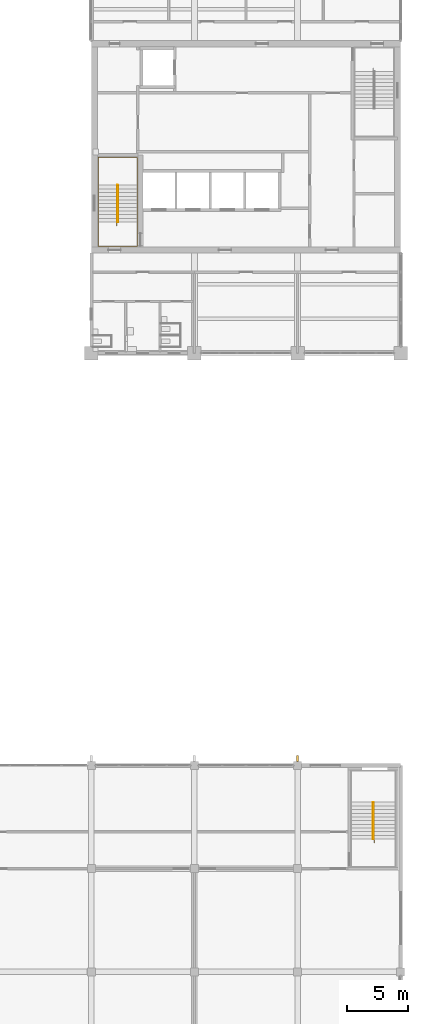
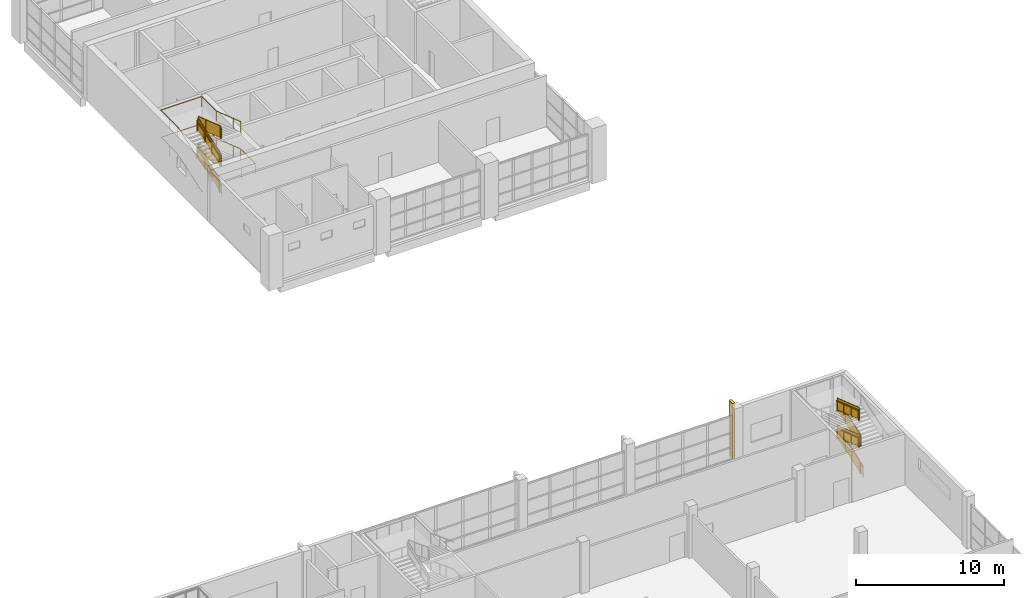
# One storey, part 59 of 64: 11 railings, 1 shading device.
"""IFC4 building model written with IfcOpenShell, lengths in metres."""

import ifcopenshell
import ifcopenshell.guid

model = None  # the IFC model being written
_history = None  # IfcOwnerHistory: only IFC2X3 demands one
_inside = {}  # id of a spatial element -> (the spatial element, [elements in it])
_under = {}  # id of a project, library or spatial element -> (it, [spatial elements below it])
_declared = {}  # id of a project -> (the project, [libraries it declares])
_typed = {}  # id of a type object -> (the type object, [elements of that type])
_made_of = {}  # id of a material, layer set ... -> (it, [elements and type objects made of it])


def new_model(schema):
    """Start an empty IFC model of exactly this schema.

    Asked for "IFC4X3", IfcOpenShell would pick the latest addendum, in which some entities
    have other attributes; the version numbers below select the first issue.
    IFC2X3 requires an IfcOwnerHistory on every rooted entity: one is made here for all.
    """
    global model, _history
    if schema == "IFC4X3":
        model = ifcopenshell.file(schema_version=(4, 3, 0, 0))
    else:
        model = ifcopenshell.file(schema=schema)
    _inside.clear()
    _under.clear()
    _declared.clear()
    _typed.clear()
    _made_of.clear()
    _history = None
    if model.schema == "IFC2X3":
        org = make("IfcOrganization", Name="unknown")
        user = make(
            "IfcPersonAndOrganization",
            ThePerson=make("IfcPerson", FamilyName="unknown"),
            TheOrganization=org,
        )
        app = make(
            "IfcApplication",
            ApplicationDeveloper=org,
            Version="unknown",
            ApplicationFullName="unknown",
            ApplicationIdentifier="unknown",
        )
        _history = make(
            "IfcOwnerHistory",
            OwningUser=user,
            OwningApplication=app,
            ChangeAction="ADDED",
            CreationDate=0,
        )
    return model


def make(cls, **values):
    """One entity of the class cls with the attributes given. An attribute that is None is left unset."""
    return model.create_entity(
        cls, **{name: value for name, value in values.items() if value is not None}
    )


def rooted(cls, **values):
    """An entity with a GlobalId (a new one), such as an element, a storey or a relation."""
    return make(cls, GlobalId=ifcopenshell.guid.new(), OwnerHistory=_history, **values)


def si_unit(unit_type, name, prefix=None):
    """IfcSIUnit, for example si_unit("LENGTHUNIT", "METRE", prefix="MILLI")."""
    return make("IfcSIUnit", UnitType=unit_type, Prefix=prefix, Name=name)


def assignment(units):
    """IfcUnitAssignment: the units of a project."""
    return None if units is None else make("IfcUnitAssignment", Units=units)


def point(xyz):
    """IfcCartesianPoint."""
    return None if xyz is None else make("IfcCartesianPoint", Coordinates=xyz)


def direction(xyz):
    """IfcDirection."""
    return None if xyz is None else make("IfcDirection", DirectionRatios=xyz)


def frame(location, z_axis=None, x_axis=None):
    """IfcAxis2Placement3D, a coordinate frame: its origin and axes. An axis left out is left unset."""
    return make(
        "IfcAxis2Placement3D",
        Location=point(location),
        Axis=direction(z_axis),
        RefDirection=direction(x_axis),
    )


def frame_2d(location, x_axis=None):
    """IfcAxis2Placement2D, a coordinate frame in the plane: its origin and x axis."""
    return make(
        "IfcAxis2Placement2D", Location=point(location), RefDirection=direction(x_axis)
    )


def origin():
    """The frame at (0, 0, 0) with its axes left unset."""
    return frame((0.0, 0.0, 0.0))


def origin_2d():
    """The frame at (0, 0) in the plane with its x axis left unset."""
    return frame_2d((0.0, 0.0))


def place(relative_to, where):
    """IfcLocalPlacement: puts the frame where relative to a parent placement (None: the world)."""
    return make(
        "IfcLocalPlacement", PlacementRelTo=relative_to, RelativePlacement=where
    )


def context(
    kind, dimensions, precision=None, world=None, true_north=None, identifier=None
):
    """IfcGeometricRepresentationContext, for example the 3D "Model" context."""
    return make(
        "IfcGeometricRepresentationContext",
        ContextIdentifier=identifier,
        ContextType=kind,
        CoordinateSpaceDimension=dimensions,
        Precision=precision,
        WorldCoordinateSystem=world,
        TrueNorth=true_north,
    )


def subcontext(parent, identifier, kind, view, scale=None):
    """IfcGeometricRepresentationSubContext, for example "Body" below "Model"."""
    return make(
        "IfcGeometricRepresentationSubContext",
        ContextIdentifier=identifier,
        ContextType=kind,
        ParentContext=parent,
        TargetScale=scale,
        TargetView=view,
    )


def project(units=None, contexts=None):
    """IfcProject with its units and contexts."""
    return rooted(
        "IfcProject",
        Name="project",
        RepresentationContexts=contexts,
        UnitsInContext=assignment(units),
    )


def spatial(cls, under=None, at=None, **own):
    """A site, building, storey or space (cls), placed at a placement, below another one or the project."""
    s = rooted(cls, ObjectPlacement=at, **own)
    if under is not None:
        _under.setdefault(under.id(), (under, []))[1].append(s)
    return s


def polyline(points):
    """IfcPolyline through the points."""
    return make("IfcPolyline", Points=[point(p) for p in points])


def profile(cls, at=None, kind="AREA", **sizes):
    """A parametric profile (cls). Its sizes go by their IFC names, for example OverallWidth=200.0."""
    return make(cls, ProfileType=kind, Position=at, **sizes)


def rectangle(**sizes):
    """IfcRectangleProfileDef."""
    return profile("IfcRectangleProfileDef", **sizes)


def circle(**sizes):
    """IfcCircleProfileDef."""
    return profile("IfcCircleProfileDef", **sizes)


def outline(outer, holes=None, kind="AREA"):
    """IfcArbitraryClosedProfileDef: a profile drawn as a closed curve; with holes, ...WithVoids."""
    if holes is None:
        return make("IfcArbitraryClosedProfileDef", ProfileType=kind, OuterCurve=outer)
    return make(
        "IfcArbitraryProfileDefWithVoids",
        ProfileType=kind,
        OuterCurve=outer,
        InnerCurves=holes,
    )


def extrude(swept, where, along, depth):
    """IfcExtrudedAreaSolid: the profile swept, set in the frame where, extruded along a direction by depth."""
    return make(
        "IfcExtrudedAreaSolid",
        SweptArea=swept,
        Position=where,
        ExtrudedDirection=direction(along),
        Depth=depth,
    )


def shape(context_of_items, identifier, shape_type, items):
    """IfcShapeRepresentation: the items that make up one representation, for example the "Body"."""
    return make(
        "IfcShapeRepresentation",
        ContextOfItems=context_of_items,
        RepresentationIdentifier=identifier,
        RepresentationType=shape_type,
        Items=items,
    )


def material(Name=None, Category=None):
    """IfcMaterial."""
    return make("IfcMaterial", Name=Name, Category=Category)


def material_profile(
    of_material, cross_section, Name=None, Category=None, Priority=None
):
    """IfcMaterialProfile: a cross section and its material."""
    return make(
        "IfcMaterialProfile",
        Name=Name,
        Material=of_material,
        Profile=cross_section,
        Priority=Priority,
        Category=Category,
    )


def profile_set(profiles, Name=None, composite=None):
    """IfcMaterialProfileSet."""
    return make(
        "IfcMaterialProfileSet",
        Name=Name,
        MaterialProfiles=profiles,
        CompositeProfile=composite,
    )


def made_of(thing, what):
    """Note that an element or type object is made of a material, layer set ...; save() writes the relation."""
    if what is not None:
        _made_of.setdefault(what.id(), (what, []))[1].append(thing)
    return thing


def type_object(cls, material=None, **own):
    """A type object (cls), such as IfcWallType, which elements share."""
    return made_of(rooted(cls, **own), material)


def element(
    cls,
    number,
    at=None,
    inside=None,
    cuts=None,
    type_object=None,
    material=None,
    context=None,
    identifier="Body",
    shape_type=None,
    held_by="IfcProductDefinitionShape",
    body=None,
    shapes=None,
    **own,
):
    """One element of the class cls, such as IfcWall. Its Tag is "e" and its number.

    at: its placement. inside: the storey or other place that contains it. cuts: it is an
    opening in that element (IfcRelVoidsElement). A single representation is given by context,
    identifier, shape_type and body (its items); several are given by shapes. held_by: the class
    of the entity that holds the representations. save() writes the other relations.
    """
    e = rooted(cls, Tag="e%d" % number, ObjectPlacement=at, **own)
    if body is not None:
        shapes = [shape(context, identifier, shape_type, body)]
    if shapes is not None:
        e.Representation = make(held_by, Representations=shapes)
    if inside is not None:
        _inside.setdefault(inside.id(), (inside, []))[1].append(e)
    if cuts is not None:
        rooted(
            "IfcRelVoidsElement", RelatingBuildingElement=cuts, RelatedOpeningElement=e
        )
    if type_object is not None:
        _typed.setdefault(type_object.id(), (type_object, []))[1].append(e)
    return made_of(e, material)


def aggregate(whole, parts):
    """IfcRelAggregates: a whole, such as a stair, and the parts it consists of."""
    return rooted("IfcRelAggregates", RelatingObject=whole, RelatedObjects=parts)


def save(model, path):
    """Write the relations noted so far, then the file.

    IfcRelAggregates (storeys below a building ...), IfcRelContainedInSpatialStructure (elements
    in a storey), IfcRelDefinesByType, IfcRelAssociatesMaterial and IfcRelDeclares: one each for
    every whole, place, type object, material and project.
    """
    for whole, parts in _under.values():
        aggregate(whole, parts)
    for where, things in _inside.values():
        rooted(
            "IfcRelContainedInSpatialStructure",
            RelatedElements=things,
            RelatingStructure=where,
        )
    for kind, things in _typed.values():
        rooted("IfcRelDefinesByType", RelatedObjects=things, RelatingType=kind)
    for what, things in _made_of.values():
        rooted("IfcRelAssociatesMaterial", RelatedObjects=things, RelatingMaterial=what)
    for by, libraries in _declared.values():
        rooted("IfcRelDeclares", RelatingContext=by, RelatedDefinitions=libraries)
    model.write(path)


model = new_model("IFC4")

# Units and contexts
model_context = context("Model", 3, precision=1e-05, world=origin(), true_north=direction((0.0, 1.0)))
body_context = subcontext(model_context, "Body", "Model", "MODEL_VIEW")
ifc_project = project(units=[si_unit("LENGTHUNIT", "METRE"), si_unit("AREAUNIT", "SQUARE_METRE"), si_unit("VOLUMEUNIT", "CUBIC_METRE"), si_unit("PLANEANGLEUNIT", "RADIAN"), si_unit("MASSUNIT", "GRAM", prefix="KILO")], contexts=[model_context])

# Site, building, storey
site_placement = place(None, origin())
site = spatial("IfcSite", under=ifc_project, at=site_placement, CompositionType="ELEMENT")
building_placement = place(site_placement, origin())
building = spatial("IfcBuilding", under=site, at=building_placement, Name="Rulbaag Community and Learning Centre", CompositionType="ELEMENT")
storey_placement = place(building_placement, frame((0.0, 0.0, 5.39990234375)))
storey = spatial("IfcBuildingStorey", under=building, at=storey_placement, Name="L01", CompositionType="ELEMENT", Elevation=5.39990234375)

# Shading device
ifc_material_1 = material(Name="Concrete M40", Category="concrete")
ifc_material_profile = material_profile(ifc_material_1, rectangle(XDim=0.199951171875, YDim=0.5, at=origin_2d()), Name="PC 200x500")
ifc_profile_set = profile_set([ifc_material_profile], Name="Concrete M40")
shading_device_type = type_object("IfcShadingDeviceType", Name="FIN-D", PredefinedType="JALOUSIE", material=ifc_profile_set)
shading_device_placement = place(storey_placement, frame((159.60009765625, 50.97509765625, -0.2998046875), z_axis=(0.0, 0.0, 1.0), x_axis=(1.0, 0.0, 0.0)))
element("IfcShadingDevice", 1, at=shading_device_placement, inside=storey, type_object=shading_device_type, Name="Precast fin", PredefinedType="JALOUSIE", context=body_context, shape_type="SweptSolid", body=[
    extrude(rectangle(XDim=0.199951171875, YDim=0.5, at=origin_2d()), origin(), (0.0, 0.0, 1.0), 4.5498046875),
])

# Railings
ifc_material_2 = material(Name="Galvanised mild steel", Category="steel")
railing_type_1 = type_object("IfcRailingType", Name="GR-1100 GUARD 1100", PredefinedType="GUARDRAIL", material=ifc_material_2)
railing_1_placement = place(storey_placement, frame((165.782470703125, 44.41259765625, 0.102294921875)))
element("IfcRailing", 2, at=railing_1_placement, inside=storey, type_object=railing_type_1, Name="Guard SH4 L01 G", PredefinedType="GUARDRAIL", context=body_context, shape_type="SweptSolid", body=[
    extrude(circle(Radius=0.02490234375, at=origin_2d()), frame((0.0, 0.0, 1.0751953125), z_axis=(0.0, 0.946512326817, 0.322667654381), x_axis=(-1.0, 0.0, 0.0)), (0.0, 0.0, 1.0), 3.16943359375),
    extrude(circle(Radius=0.02001953125, at=origin_2d()), origin(), (0.0, 0.0, 1.0), 1.050048828125),
    extrude(circle(Radius=0.02001953125, at=origin_2d()), frame((0.0, 1.0, 0.3408203125)), (0.0, 0.0, 1.0), 1.050048828125),
    extrude(circle(Radius=0.02001953125, at=origin_2d()), frame((0.0, 2.0, 0.681884765625)), (0.0, 0.0, 1.0), 1.050048828125),
    extrude(circle(Radius=0.02001953125, at=origin_2d()), frame((0.0, 3.0, 1.022705078125)), (0.0, 0.0, 1.0), 1.050048828125),
    extrude(outline(polyline([(0.0, 0.0), (3.0, 1.022705078125), (3.0, 1.97265625), (0.0, 0.949951171875), (0.0, 0.0)])), frame((-0.0048828125, 0.0, 0.10009765625), z_axis=(1.0, 0.0, 0.0), x_axis=(0.0, 1.0, 0.0)), (0.0, 0.0, 1.0), 0.010009765625),
])
railing_2_placement = place(storey_placement, frame((165.742431640625, 47.41259765625, 1.227294921875)))
element("IfcRailing", 3, at=railing_2_placement, inside=storey, type_object=railing_type_1, Name="Guard SH4 L01 G2", PredefinedType="GUARDRAIL", context=body_context, shape_type="SweptSolid", body=[
    extrude(circle(Radius=0.02490234375, at=origin_2d()), frame((0.0, 0.0, 1.0751953125), z_axis=(0.0, -0.946512326817, 0.322667654381), x_axis=(1.0, 0.0, 0.0)), (0.0, 0.0, 1.0), 3.16943359375),
    extrude(circle(Radius=0.02001953125, at=origin_2d()), origin(), (0.0, 0.0, 1.0), 1.050048828125),
    extrude(circle(Radius=0.02001953125, at=origin_2d()), frame((0.0, -1.0, 0.3408203125)), (0.0, 0.0, 1.0), 1.050048828125),
    extrude(circle(Radius=0.02001953125, at=origin_2d()), frame((0.0, -2.0, 0.681884765625)), (0.0, 0.0, 1.0), 1.050048828125),
    extrude(circle(Radius=0.02001953125, at=origin_2d()), frame((0.0, -3.0, 1.022705078125)), (0.0, 0.0, 1.0), 1.050048828125),
    extrude(outline(polyline([(0.0, 0.0), (3.0, 1.022705078125), (3.0, 1.97265625), (0.0, 0.949951171875), (0.0, 0.0)])), frame((0.0048828125, 0.0, 0.10009765625), z_axis=(-1.0, 0.0, 0.0), x_axis=(0.0, -1.0, 0.0)), (0.0, 0.0, 1.0), 0.010009765625),
])
railing_3_placement = place(storey_placement, frame((165.782470703125, 44.41259765625, 2.352294921875)))
element("IfcRailing", 4, at=railing_3_placement, inside=storey, type_object=railing_type_1, Name="Guard SH4 L01 G3", PredefinedType="GUARDRAIL", context=body_context, shape_type="SweptSolid", body=[
    extrude(circle(Radius=0.02490234375, at=origin_2d()), frame((0.0, 0.0, 1.0751953125), z_axis=(0.0, 0.946512326817, 0.322667654381), x_axis=(-1.0, 0.0, 0.0)), (0.0, 0.0, 1.0), 3.16943359375),
    extrude(circle(Radius=0.02001953125, at=origin_2d()), origin(), (0.0, 0.0, 1.0), 1.050048828125),
    extrude(circle(Radius=0.02001953125, at=origin_2d()), frame((0.0, 1.0, 0.3408203125)), (0.0, 0.0, 1.0), 1.050048828125),
    extrude(circle(Radius=0.02001953125, at=origin_2d()), frame((0.0, 2.0, 0.681884765625)), (0.0, 0.0, 1.0), 1.050048828125),
    extrude(circle(Radius=0.02001953125, at=origin_2d()), frame((0.0, 3.0, 1.022705078125)), (0.0, 0.0, 1.0), 1.050048828125),
    extrude(outline(polyline([(0.0, 0.0), (3.0, 1.022705078125), (3.0, 1.97265625), (0.0, 0.949951171875), (0.0, 0.0)])), frame((-0.0048828125, 0.0, 0.10009765625), z_axis=(1.0, 0.0, 0.0), x_axis=(0.0, 1.0, 0.0)), (0.0, 0.0, 1.0), 0.010009765625),
])
railing_4_placement = place(storey_placement, frame((165.742431640625, 47.41259765625, 3.477294921875)))
element("IfcRailing", 5, at=railing_4_placement, inside=storey, type_object=railing_type_1, Name="Guard SH4 L01 G4", PredefinedType="GUARDRAIL", context=body_context, shape_type="SweptSolid", body=[
    extrude(circle(Radius=0.02490234375, at=origin_2d()), frame((0.0, 0.0, 1.0751953125), z_axis=(0.0, -0.946512326817, 0.322667654381), x_axis=(1.0, 0.0, 0.0)), (0.0, 0.0, 1.0), 3.16943359375),
    extrude(circle(Radius=0.02001953125, at=origin_2d()), origin(), (0.0, 0.0, 1.0), 1.050048828125),
    extrude(circle(Radius=0.02001953125, at=origin_2d()), frame((0.0, -1.0, 0.3408203125)), (0.0, 0.0, 1.0), 1.050048828125),
    extrude(circle(Radius=0.02001953125, at=origin_2d()), frame((0.0, -2.0, 0.681884765625)), (0.0, 0.0, 1.0), 1.050048828125),
    extrude(circle(Radius=0.02001953125, at=origin_2d()), frame((0.0, -3.0, 1.022705078125)), (0.0, 0.0, 1.0), 1.050048828125),
    extrude(outline(polyline([(0.0, 0.0), (3.0, 1.022705078125), (3.0, 1.97265625), (0.0, 0.949951171875), (0.0, 0.0)])), frame((0.0048828125, 0.0, 0.10009765625), z_axis=(-1.0, 0.0, 0.0), x_axis=(0.0, -1.0, 0.0)), (0.0, 0.0, 1.0), 0.010009765625),
])
railing_5_placement = place(storey_placement, frame((144.929931640625, 94.675048828125, 0.102294921875)))
element("IfcRailing", 6, at=railing_5_placement, inside=storey, type_object=railing_type_1, Name="Guard ST1 L01 G", PredefinedType="GUARDRAIL", context=body_context, shape_type="SweptSolid", body=[
    extrude(circle(Radius=0.02490234375, at=origin_2d()), frame((0.0, 0.0, 1.0751953125), z_axis=(0.0, 0.946512326817, 0.322667654381), x_axis=(-1.0, 0.0, 0.0)), (0.0, 0.0, 1.0), 3.16943359375),
    extrude(circle(Radius=0.02001953125, at=origin_2d()), origin(), (0.0, 0.0, 1.0), 1.050048828125),
    extrude(circle(Radius=0.02001953125, at=origin_2d()), frame((0.0, 1.0, 0.3408203125)), (0.0, 0.0, 1.0), 1.050048828125),
    extrude(circle(Radius=0.02001953125, at=origin_2d()), frame((0.0, 2.0, 0.681884765625)), (0.0, 0.0, 1.0), 1.050048828125),
    extrude(circle(Radius=0.02001953125, at=origin_2d()), frame((0.0, 3.0, 1.022705078125)), (0.0, 0.0, 1.0), 1.050048828125),
    extrude(outline(polyline([(0.0, 0.0), (3.0, 1.022705078125), (3.0, 1.97265625), (0.0, 0.949951171875), (0.0, 0.0)])), frame((-0.0048828125, 0.0, 0.10009765625), z_axis=(1.0, 0.0, 0.0), x_axis=(0.0, 1.0, 0.0)), (0.0, 0.0, 1.0), 0.010009765625),
])
railing_6_placement = place(storey_placement, frame((144.969970703125, 97.675048828125, 1.227294921875)))
element("IfcRailing", 7, at=railing_6_placement, inside=storey, type_object=railing_type_1, Name="Guard ST1 L01 G2", PredefinedType="GUARDRAIL", context=body_context, shape_type="SweptSolid", body=[
    extrude(circle(Radius=0.02490234375, at=origin_2d()), frame((0.0, 0.0, 1.0751953125), z_axis=(0.0, -0.946512326817, 0.322667654381), x_axis=(1.0, 0.0, 0.0)), (0.0, 0.0, 1.0), 3.16943359375),
    extrude(circle(Radius=0.02001953125, at=origin_2d()), origin(), (0.0, 0.0, 1.0), 1.050048828125),
    extrude(circle(Radius=0.02001953125, at=origin_2d()), frame((0.0, -1.0, 0.3408203125)), (0.0, 0.0, 1.0), 1.050048828125),
    extrude(circle(Radius=0.02001953125, at=origin_2d()), frame((0.0, -2.0, 0.681884765625)), (0.0, 0.0, 1.0), 1.050048828125),
    extrude(circle(Radius=0.02001953125, at=origin_2d()), frame((0.0, -3.0, 1.022705078125)), (0.0, 0.0, 1.0), 1.050048828125),
    extrude(outline(polyline([(0.0, 0.0), (3.0, 1.022705078125), (3.0, 1.97265625), (0.0, 0.949951171875), (0.0, 0.0)])), frame((0.0048828125, 0.0, 0.10009765625), z_axis=(-1.0, 0.0, 0.0), x_axis=(0.0, -1.0, 0.0)), (0.0, 0.0, 1.0), 0.010009765625),
])
railing_7_placement = place(storey_placement, frame((144.929931640625, 94.675048828125, 2.352294921875)))
element("IfcRailing", 8, at=railing_7_placement, inside=storey, type_object=railing_type_1, Name="Guard ST1 L01 G3", PredefinedType="GUARDRAIL", context=body_context, shape_type="SweptSolid", body=[
    extrude(circle(Radius=0.02490234375, at=origin_2d()), frame((0.0, 0.0, 1.0751953125), z_axis=(0.0, 0.946512326817, 0.322667654381), x_axis=(-1.0, 0.0, 0.0)), (0.0, 0.0, 1.0), 3.16943359375),
    extrude(circle(Radius=0.02001953125, at=origin_2d()), origin(), (0.0, 0.0, 1.0), 1.050048828125),
    extrude(circle(Radius=0.02001953125, at=origin_2d()), frame((0.0, 1.0, 0.3408203125)), (0.0, 0.0, 1.0), 1.050048828125),
    extrude(circle(Radius=0.02001953125, at=origin_2d()), frame((0.0, 2.0, 0.681884765625)), (0.0, 0.0, 1.0), 1.050048828125),
    extrude(circle(Radius=0.02001953125, at=origin_2d()), frame((0.0, 3.0, 1.022705078125)), (0.0, 0.0, 1.0), 1.050048828125),
    extrude(outline(polyline([(0.0, 0.0), (3.0, 1.022705078125), (3.0, 1.97265625), (0.0, 0.949951171875), (0.0, 0.0)])), frame((-0.0048828125, 0.0, 0.10009765625), z_axis=(1.0, 0.0, 0.0), x_axis=(0.0, 1.0, 0.0)), (0.0, 0.0, 1.0), 0.010009765625),
])
railing_8_placement = place(storey_placement, frame((144.969970703125, 97.675048828125, 3.477294921875)))
element("IfcRailing", 9, at=railing_8_placement, inside=storey, type_object=railing_type_1, Name="Guard ST1 L01 G4", PredefinedType="GUARDRAIL", context=body_context, shape_type="SweptSolid", body=[
    extrude(circle(Radius=0.02490234375, at=origin_2d()), frame((0.0, 0.0, 1.0751953125), z_axis=(0.0, -0.946512326817, 0.322667654381), x_axis=(1.0, 0.0, 0.0)), (0.0, 0.0, 1.0), 3.16943359375),
    extrude(circle(Radius=0.02001953125, at=origin_2d()), origin(), (0.0, 0.0, 1.0), 1.050048828125),
    extrude(circle(Radius=0.02001953125, at=origin_2d()), frame((0.0, -1.0, 0.3408203125)), (0.0, 0.0, 1.0), 1.050048828125),
    extrude(circle(Radius=0.02001953125, at=origin_2d()), frame((0.0, -2.0, 0.681884765625)), (0.0, 0.0, 1.0), 1.050048828125),
    extrude(circle(Radius=0.02001953125, at=origin_2d()), frame((0.0, -3.0, 1.022705078125)), (0.0, 0.0, 1.0), 1.050048828125),
    extrude(outline(polyline([(0.0, 0.0), (3.0, 1.022705078125), (3.0, 1.97265625), (0.0, 0.949951171875), (0.0, 0.0)])), frame((0.0048828125, 0.0, 0.10009765625), z_axis=(-1.0, 0.0, 0.0), x_axis=(0.0, -1.0, 0.0)), (0.0, 0.0, 1.0), 0.010009765625),
])
ifc_material_3 = material(Name="Stainless steel grade 316", Category="steel")
railing_type_2 = type_object("IfcRailingType", Name="HR-900 HANDRAIL 900", PredefinedType="HANDRAIL", material=ifc_material_3)
railing_9_placement = place(storey_placement, frame((165.8525390625, 44.112548828125, 0.0)))
element("IfcRailing", 10, at=railing_9_placement, inside=storey, type_object=railing_type_2, Name="Handrail SH4 L01 I", PredefinedType="HANDRAIL", context=body_context, shape_type="SweptSolid", body=[
    extrude(circle(Radius=0.024169921875, at=origin_2d()), frame((0.0, 0.0, 0.875732421875), z_axis=(0.0, 0.946504842313, 0.322689608567), x_axis=(-1.0, 0.0, 0.0)), (0.0, 0.0, 1.0), 0.31689453125),
    extrude(circle(Radius=0.024169921875, at=origin_2d()), frame((0.0, 0.300048828125, 0.97802734375), z_axis=(0.0, 0.946512326817, 0.322667654381), x_axis=(-1.0, 0.0, 0.0)), (0.0, 0.0, 1.0), 3.16943359375),
    extrude(circle(Radius=0.024169921875, at=origin_2d()), frame((0.0, 3.300048828125, 2.000732421875), z_axis=(-0.869329868598, 0.0, 0.494232313355), x_axis=(0.0, -1.0, 0.0)), (0.0, 0.0, 1.0), 0.20703125),
    extrude(circle(Radius=0.024169921875, at=origin_2d()), frame((-0.179931640625, 3.300048828125, 2.10302734375), z_axis=(0.0, -0.946512326817, 0.322667654381), x_axis=(1.0, 0.0, 0.0)), (0.0, 0.0, 1.0), 3.16943359375),
    extrude(circle(Radius=0.024169921875, at=origin_2d()), frame((-0.179931640625, 0.300048828125, 3.125732421875), z_axis=(0.869329868598, 0.0, 0.494232313355), x_axis=(0.0, 1.0, 0.0)), (0.0, 0.0, 1.0), 0.20703125),
    extrude(circle(Radius=0.024169921875, at=origin_2d()), frame((0.0, 0.300048828125, 3.22802734375), z_axis=(0.0, 0.946512326817, 0.322667654381), x_axis=(-1.0, 0.0, 0.0)), (0.0, 0.0, 1.0), 3.16943359375),
    extrude(circle(Radius=0.024169921875, at=origin_2d()), frame((0.0, 3.300048828125, 4.250732421875), z_axis=(-0.869329868598, 0.0, 0.494232313355), x_axis=(0.0, -1.0, 0.0)), (0.0, 0.0, 1.0), 0.20703125),
    extrude(circle(Radius=0.024169921875, at=origin_2d()), frame((-0.179931640625, 3.300048828125, 4.35302734375), z_axis=(0.0, -0.946512326817, 0.322667654381), x_axis=(1.0, 0.0, 0.0)), (0.0, 0.0, 1.0), 3.16943359375),
    extrude(circle(Radius=0.008056640625, at=origin_2d()), origin(), (0.0, 0.0, 1.0), 0.8515625),
    extrude(circle(Radius=0.008056640625, at=origin_2d()), frame((0.0, 0.300048828125, 0.102294921875)), (0.0, 0.0, 1.0), 0.8515625),
    extrude(circle(Radius=0.008056640625, at=origin_2d()), frame((0.0, 1.300048828125, 0.443115234375)), (0.0, 0.0, 1.0), 0.8515625),
    extrude(circle(Radius=0.008056640625, at=origin_2d()), frame((0.0, 2.300048828125, 0.7841796875)), (0.0, 0.0, 1.0), 0.8515625),
    extrude(circle(Radius=0.008056640625, at=origin_2d()), frame((0.0, 3.300048828125, 1.125)), (0.0, 0.0, 1.0), 0.8515625),
    extrude(circle(Radius=0.008056640625, at=origin_2d()), frame((-0.179931640625, 3.300048828125, 1.227294921875)), (0.0, 0.0, 1.0), 0.8515625),
    extrude(circle(Radius=0.008056640625, at=origin_2d()), frame((-0.179931640625, 2.300048828125, 1.568115234375)), (0.0, 0.0, 1.0), 0.8515625),
    extrude(circle(Radius=0.008056640625, at=origin_2d()), frame((-0.179931640625, 1.300048828125, 1.9091796875)), (0.0, 0.0, 1.0), 0.8515625),
    extrude(circle(Radius=0.008056640625, at=origin_2d()), frame((-0.179931640625, 0.300048828125, 2.25)), (0.0, 0.0, 1.0), 0.8515625),
    extrude(circle(Radius=0.008056640625, at=origin_2d()), frame((0.0, 0.300048828125, 2.352294921875)), (0.0, 0.0, 1.0), 0.8515625),
    extrude(circle(Radius=0.008056640625, at=origin_2d()), frame((0.0, 1.300048828125, 2.693115234375)), (0.0, 0.0, 1.0), 0.8515625),
    extrude(circle(Radius=0.008056640625, at=origin_2d()), frame((0.0, 2.300048828125, 3.0341796875)), (0.0, 0.0, 1.0), 0.8515625),
    extrude(circle(Radius=0.008056640625, at=origin_2d()), frame((0.0, 3.300048828125, 3.375)), (0.0, 0.0, 1.0), 0.8515625),
    extrude(circle(Radius=0.008056640625, at=origin_2d()), frame((-0.179931640625, 3.300048828125, 3.477294921875)), (0.0, 0.0, 1.0), 0.8515625),
    extrude(circle(Radius=0.008056640625, at=origin_2d()), frame((-0.179931640625, 2.300048828125, 3.818115234375)), (0.0, 0.0, 1.0), 0.8515625),
    extrude(circle(Radius=0.008056640625, at=origin_2d()), frame((-0.179931640625, 1.300048828125, 4.1591796875)), (0.0, 0.0, 1.0), 0.8515625),
    extrude(circle(Radius=0.008056640625, at=origin_2d()), frame((-0.179931640625, 0.300048828125, 4.5)), (0.0, 0.0, 1.0), 0.8515625),
])
railing_10_placement = place(storey_placement, frame((143.360107421875, 94.375, 0.0)))
element("IfcRailing", 11, at=railing_10_placement, inside=storey, type_object=railing_type_2, Name="Handrail ST1 L01 O", PredefinedType="HANDRAIL", context=body_context, shape_type="SweptSolid", body=[
    extrude(circle(Radius=0.024169921875, at=origin_2d()), frame((0.0, 0.0, 0.875732421875), z_axis=(0.0, 0.946504842313, 0.322689608567), x_axis=(-1.0, 0.0, 0.0)), (0.0, 0.0, 1.0), 0.31689453125),
    extrude(circle(Radius=0.024169921875, at=origin_2d()), frame((0.0, 0.300048828125, 0.97802734375), z_axis=(0.0, 0.946512326817, 0.322667654381), x_axis=(-1.0, 0.0, 0.0)), (0.0, 0.0, 1.0), 3.16943359375),
    extrude(circle(Radius=0.024169921875, at=origin_2d()), frame((0.0, 3.300048828125, 2.000732421875), z_axis=(0.0, 1.0, 0.0), x_axis=(-1.0, 0.0, 0.0)), (0.0, 0.0, 1.0), 2.264892578125),
    extrude(circle(Radius=0.024169921875, at=origin_2d()), frame((0.0, 5.56494140625, 2.000732421875), z_axis=(1.0, 0.0, 0.0), x_axis=(0.0, 1.0, 0.0)), (0.0, 0.0, 1.0), 3.179931640625),
    extrude(circle(Radius=0.024169921875, at=origin_2d()), frame((3.179931640625, 5.56494140625, 2.000732421875), z_axis=(0.0, -1.0, 0.0), x_axis=(1.0, 0.0, 0.0)), (0.0, 0.0, 1.0), 1.96484375),
    extrude(circle(Radius=0.024169921875, at=origin_2d()), frame((3.179931640625, 3.60009765625, 2.000732421875), z_axis=(0.0, -0.946504842313, 0.322689608567), x_axis=(1.0, 0.0, 0.0)), (0.0, 0.0, 1.0), 0.31689453125),
    extrude(circle(Radius=0.024169921875, at=origin_2d()), frame((3.179931640625, 3.300048828125, 2.10302734375), z_axis=(0.0, -0.946512326817, 0.322667654381), x_axis=(1.0, 0.0, 0.0)), (0.0, 0.0, 1.0), 3.16943359375),
    extrude(circle(Radius=0.024169921875, at=origin_2d()), frame((3.179931640625, 0.300048828125, 3.125732421875), z_axis=(0.0, -1.0, 0.0), x_axis=(1.0, 0.0, 0.0)), (0.0, 0.0, 1.0), 1.965087890625),
    extrude(circle(Radius=0.024169921875, at=origin_2d()), frame((3.179931640625, -1.6650390625, 3.125732421875), z_axis=(-1.0, 0.0, 0.0), x_axis=(0.0, -1.0, 0.0)), (0.0, 0.0, 1.0), 3.179931640625),
    extrude(circle(Radius=0.024169921875, at=origin_2d()), frame((0.0, -1.6650390625, 3.125732421875), z_axis=(0.0, 1.0, 0.0), x_axis=(-1.0, 0.0, 0.0)), (0.0, 0.0, 1.0), 1.6650390625),
    extrude(circle(Radius=0.024169921875, at=origin_2d()), frame((0.0, 0.0, 3.125732421875), z_axis=(0.0, 0.946504842313, 0.322689608567), x_axis=(-1.0, 0.0, 0.0)), (0.0, 0.0, 1.0), 0.31689453125),
    extrude(circle(Radius=0.024169921875, at=origin_2d()), frame((0.0, 0.300048828125, 3.22802734375), z_axis=(0.0, 0.946512326817, 0.322667654381), x_axis=(-1.0, 0.0, 0.0)), (0.0, 0.0, 1.0), 3.16943359375),
    extrude(circle(Radius=0.024169921875, at=origin_2d()), frame((0.0, 3.300048828125, 4.250732421875), z_axis=(0.0, 1.0, 0.0), x_axis=(-1.0, 0.0, 0.0)), (0.0, 0.0, 1.0), 2.264892578125),
    extrude(circle(Radius=0.024169921875, at=origin_2d()), frame((0.0, 5.56494140625, 4.250732421875), z_axis=(1.0, 0.0, 0.0), x_axis=(0.0, 1.0, 0.0)), (0.0, 0.0, 1.0), 3.179931640625),
    extrude(circle(Radius=0.024169921875, at=origin_2d()), frame((3.179931640625, 5.56494140625, 4.250732421875), z_axis=(0.0, -1.0, 0.0), x_axis=(1.0, 0.0, 0.0)), (0.0, 0.0, 1.0), 1.96484375),
    extrude(circle(Radius=0.024169921875, at=origin_2d()), frame((3.179931640625, 3.60009765625, 4.250732421875), z_axis=(0.0, -0.946504842313, 0.322689608567), x_axis=(1.0, 0.0, 0.0)), (0.0, 0.0, 1.0), 0.31689453125),
    extrude(circle(Radius=0.024169921875, at=origin_2d()), frame((3.179931640625, 3.300048828125, 4.35302734375), z_axis=(0.0, -0.946512326817, 0.322667654381), x_axis=(1.0, 0.0, 0.0)), (0.0, 0.0, 1.0), 3.16943359375),
    extrude(circle(Radius=0.008056640625, at=origin_2d()), origin(), (0.0, 0.0, 1.0), 0.8515625),
    extrude(circle(Radius=0.008056640625, at=origin_2d()), frame((0.0, 0.300048828125, 0.102294921875)), (0.0, 0.0, 1.0), 0.8515625),
    extrude(circle(Radius=0.008056640625, at=origin_2d()), frame((0.0, 1.300048828125, 0.443115234375)), (0.0, 0.0, 1.0), 0.8515625),
    extrude(circle(Radius=0.008056640625, at=origin_2d()), frame((0.0, 2.300048828125, 0.7841796875)), (0.0, 0.0, 1.0), 0.8515625),
    extrude(circle(Radius=0.008056640625, at=origin_2d()), frame((0.0, 3.300048828125, 1.125)), (0.0, 0.0, 1.0), 0.8515625),
    extrude(circle(Radius=0.008056640625, at=origin_2d()), frame((0.0, 4.4326171875, 1.125)), (0.0, 0.0, 1.0), 0.8515625),
    extrude(circle(Radius=0.008056640625, at=origin_2d()), frame((0.0, 5.56494140625, 1.125)), (0.0, 0.0, 1.0), 0.8515625),
    extrude(circle(Radius=0.008056640625, at=origin_2d()), frame((1.06005859375, 5.56494140625, 1.125)), (0.0, 0.0, 1.0), 0.8515625),
    extrude(circle(Radius=0.008056640625, at=origin_2d()), frame((2.119873046875, 5.56494140625, 1.125)), (0.0, 0.0, 1.0), 0.8515625),
    extrude(circle(Radius=0.008056640625, at=origin_2d()), frame((3.179931640625, 5.56494140625, 1.125)), (0.0, 0.0, 1.0), 0.8515625),
    extrude(circle(Radius=0.008056640625, at=origin_2d()), frame((3.179931640625, 4.58251953125, 1.125)), (0.0, 0.0, 1.0), 0.8515625),
    extrude(circle(Radius=0.008056640625, at=origin_2d()), frame((3.179931640625, 3.60009765625, 1.125)), (0.0, 0.0, 1.0), 0.8515625),
    extrude(circle(Radius=0.008056640625, at=origin_2d()), frame((3.179931640625, 3.300048828125, 1.227294921875)), (0.0, 0.0, 1.0), 0.8515625),
    extrude(circle(Radius=0.008056640625, at=origin_2d()), frame((3.179931640625, 2.300048828125, 1.568115234375)), (0.0, 0.0, 1.0), 0.8515625),
    extrude(circle(Radius=0.008056640625, at=origin_2d()), frame((3.179931640625, 1.300048828125, 1.9091796875)), (0.0, 0.0, 1.0), 0.8515625),
    extrude(circle(Radius=0.008056640625, at=origin_2d()), frame((3.179931640625, 0.300048828125, 2.25)), (0.0, 0.0, 1.0), 0.8515625),
    extrude(circle(Radius=0.008056640625, at=origin_2d()), frame((3.179931640625, -0.6826171875, 2.25)), (0.0, 0.0, 1.0), 0.8515625),
    extrude(circle(Radius=0.008056640625, at=origin_2d()), frame((3.179931640625, -1.6650390625, 2.25)), (0.0, 0.0, 1.0), 0.8515625),
    extrude(circle(Radius=0.008056640625, at=origin_2d()), frame((2.119873046875, -1.6650390625, 2.25)), (0.0, 0.0, 1.0), 0.8515625),
    extrude(circle(Radius=0.008056640625, at=origin_2d()), frame((1.06005859375, -1.6650390625, 2.25)), (0.0, 0.0, 1.0), 0.8515625),
    extrude(circle(Radius=0.008056640625, at=origin_2d()), frame((0.0, -1.6650390625, 2.25)), (0.0, 0.0, 1.0), 0.8515625),
    extrude(circle(Radius=0.008056640625, at=origin_2d()), frame((0.0, -0.83251953125, 2.25)), (0.0, 0.0, 1.0), 0.8515625),
    extrude(circle(Radius=0.008056640625, at=origin_2d()), frame((0.0, 0.0, 2.25)), (0.0, 0.0, 1.0), 0.8515625),
    extrude(circle(Radius=0.008056640625, at=origin_2d()), frame((0.0, 0.300048828125, 2.352294921875)), (0.0, 0.0, 1.0), 0.8515625),
    extrude(circle(Radius=0.008056640625, at=origin_2d()), frame((0.0, 1.300048828125, 2.693115234375)), (0.0, 0.0, 1.0), 0.8515625),
    extrude(circle(Radius=0.008056640625, at=origin_2d()), frame((0.0, 2.300048828125, 3.0341796875)), (0.0, 0.0, 1.0), 0.8515625),
    extrude(circle(Radius=0.008056640625, at=origin_2d()), frame((0.0, 3.300048828125, 3.375)), (0.0, 0.0, 1.0), 0.8515625),
    extrude(circle(Radius=0.008056640625, at=origin_2d()), frame((0.0, 4.4326171875, 3.375)), (0.0, 0.0, 1.0), 0.8515625),
    extrude(circle(Radius=0.008056640625, at=origin_2d()), frame((0.0, 5.56494140625, 3.375)), (0.0, 0.0, 1.0), 0.8515625),
    extrude(circle(Radius=0.008056640625, at=origin_2d()), frame((1.06005859375, 5.56494140625, 3.375)), (0.0, 0.0, 1.0), 0.8515625),
    extrude(circle(Radius=0.008056640625, at=origin_2d()), frame((2.119873046875, 5.56494140625, 3.375)), (0.0, 0.0, 1.0), 0.8515625),
    extrude(circle(Radius=0.008056640625, at=origin_2d()), frame((3.179931640625, 5.56494140625, 3.375)), (0.0, 0.0, 1.0), 0.8515625),
    extrude(circle(Radius=0.008056640625, at=origin_2d()), frame((3.179931640625, 4.58251953125, 3.375)), (0.0, 0.0, 1.0), 0.8515625),
    extrude(circle(Radius=0.008056640625, at=origin_2d()), frame((3.179931640625, 3.60009765625, 3.375)), (0.0, 0.0, 1.0), 0.8515625),
    extrude(circle(Radius=0.008056640625, at=origin_2d()), frame((3.179931640625, 3.300048828125, 3.477294921875)), (0.0, 0.0, 1.0), 0.8515625),
    extrude(circle(Radius=0.008056640625, at=origin_2d()), frame((3.179931640625, 2.300048828125, 3.818115234375)), (0.0, 0.0, 1.0), 0.8515625),
    extrude(circle(Radius=0.008056640625, at=origin_2d()), frame((3.179931640625, 1.300048828125, 4.1591796875)), (0.0, 0.0, 1.0), 0.8515625),
    extrude(circle(Radius=0.008056640625, at=origin_2d()), frame((3.179931640625, 0.300048828125, 4.5)), (0.0, 0.0, 1.0), 0.8515625),
])
railing_11_placement = place(storey_placement, frame((144.860107421875, 94.375, 0.0)))
element("IfcRailing", 12, at=railing_11_placement, inside=storey, type_object=railing_type_2, Name="Handrail ST1 L01 I", PredefinedType="HANDRAIL", context=body_context, shape_type="SweptSolid", body=[
    extrude(circle(Radius=0.024169921875, at=origin_2d()), frame((0.0, 0.0, 0.875732421875), z_axis=(0.0, 0.946504842313, 0.322689608567), x_axis=(-1.0, 0.0, 0.0)), (0.0, 0.0, 1.0), 0.31689453125),
    extrude(circle(Radius=0.024169921875, at=origin_2d()), frame((0.0, 0.300048828125, 0.97802734375), z_axis=(0.0, 0.946512326817, 0.322667654381), x_axis=(-1.0, 0.0, 0.0)), (0.0, 0.0, 1.0), 3.16943359375),
    extrude(circle(Radius=0.024169921875, at=origin_2d()), frame((0.0, 3.300048828125, 2.000732421875), z_axis=(0.869329868598, 0.0, 0.494232313355), x_axis=(0.0, 1.0, 0.0)), (0.0, 0.0, 1.0), 0.20703125),
    extrude(circle(Radius=0.024169921875, at=origin_2d()), frame((0.179931640625, 3.300048828125, 2.10302734375), z_axis=(0.0, -0.946512326817, 0.322667654381), x_axis=(1.0, 0.0, 0.0)), (0.0, 0.0, 1.0), 3.16943359375),
    extrude(circle(Radius=0.024169921875, at=origin_2d()), frame((0.179931640625, 0.300048828125, 3.125732421875), z_axis=(-0.869329868598, 0.0, 0.494232313355), x_axis=(0.0, -1.0, 0.0)), (0.0, 0.0, 1.0), 0.20703125),
    extrude(circle(Radius=0.024169921875, at=origin_2d()), frame((0.0, 0.300048828125, 3.22802734375), z_axis=(0.0, 0.946512326817, 0.322667654381), x_axis=(-1.0, 0.0, 0.0)), (0.0, 0.0, 1.0), 3.16943359375),
    extrude(circle(Radius=0.024169921875, at=origin_2d()), frame((0.0, 3.300048828125, 4.250732421875), z_axis=(0.869329868598, 0.0, 0.494232313355), x_axis=(0.0, 1.0, 0.0)), (0.0, 0.0, 1.0), 0.20703125),
    extrude(circle(Radius=0.024169921875, at=origin_2d()), frame((0.179931640625, 3.300048828125, 4.35302734375), z_axis=(0.0, -0.946512326817, 0.322667654381), x_axis=(1.0, 0.0, 0.0)), (0.0, 0.0, 1.0), 3.16943359375),
    extrude(circle(Radius=0.008056640625, at=origin_2d()), origin(), (0.0, 0.0, 1.0), 0.8515625),
    extrude(circle(Radius=0.008056640625, at=origin_2d()), frame((0.0, 0.300048828125, 0.102294921875)), (0.0, 0.0, 1.0), 0.8515625),
    extrude(circle(Radius=0.008056640625, at=origin_2d()), frame((0.0, 1.300048828125, 0.443115234375)), (0.0, 0.0, 1.0), 0.8515625),
    extrude(circle(Radius=0.008056640625, at=origin_2d()), frame((0.0, 2.300048828125, 0.7841796875)), (0.0, 0.0, 1.0), 0.8515625),
    extrude(circle(Radius=0.008056640625, at=origin_2d()), frame((0.0, 3.300048828125, 1.125)), (0.0, 0.0, 1.0), 0.8515625),
    extrude(circle(Radius=0.008056640625, at=origin_2d()), frame((0.179931640625, 3.300048828125, 1.227294921875)), (0.0, 0.0, 1.0), 0.8515625),
    extrude(circle(Radius=0.008056640625, at=origin_2d()), frame((0.179931640625, 2.300048828125, 1.568115234375)), (0.0, 0.0, 1.0), 0.8515625),
    extrude(circle(Radius=0.008056640625, at=origin_2d()), frame((0.179931640625, 1.300048828125, 1.9091796875)), (0.0, 0.0, 1.0), 0.8515625),
    extrude(circle(Radius=0.008056640625, at=origin_2d()), frame((0.179931640625, 0.300048828125, 2.25)), (0.0, 0.0, 1.0), 0.8515625),
    extrude(circle(Radius=0.008056640625, at=origin_2d()), frame((0.0, 0.300048828125, 2.352294921875)), (0.0, 0.0, 1.0), 0.8515625),
    extrude(circle(Radius=0.008056640625, at=origin_2d()), frame((0.0, 1.300048828125, 2.693115234375)), (0.0, 0.0, 1.0), 0.8515625),
    extrude(circle(Radius=0.008056640625, at=origin_2d()), frame((0.0, 2.300048828125, 3.0341796875)), (0.0, 0.0, 1.0), 0.8515625),
    extrude(circle(Radius=0.008056640625, at=origin_2d()), frame((0.0, 3.300048828125, 3.375)), (0.0, 0.0, 1.0), 0.8515625),
    extrude(circle(Radius=0.008056640625, at=origin_2d()), frame((0.179931640625, 3.300048828125, 3.477294921875)), (0.0, 0.0, 1.0), 0.8515625),
    extrude(circle(Radius=0.008056640625, at=origin_2d()), frame((0.179931640625, 2.300048828125, 3.818115234375)), (0.0, 0.0, 1.0), 0.8515625),
    extrude(circle(Radius=0.008056640625, at=origin_2d()), frame((0.179931640625, 1.300048828125, 4.1591796875)), (0.0, 0.0, 1.0), 0.8515625),
    extrude(circle(Radius=0.008056640625, at=origin_2d()), frame((0.179931640625, 0.300048828125, 4.5)), (0.0, 0.0, 1.0), 0.8515625),
])

save(model, "model.ifc")
